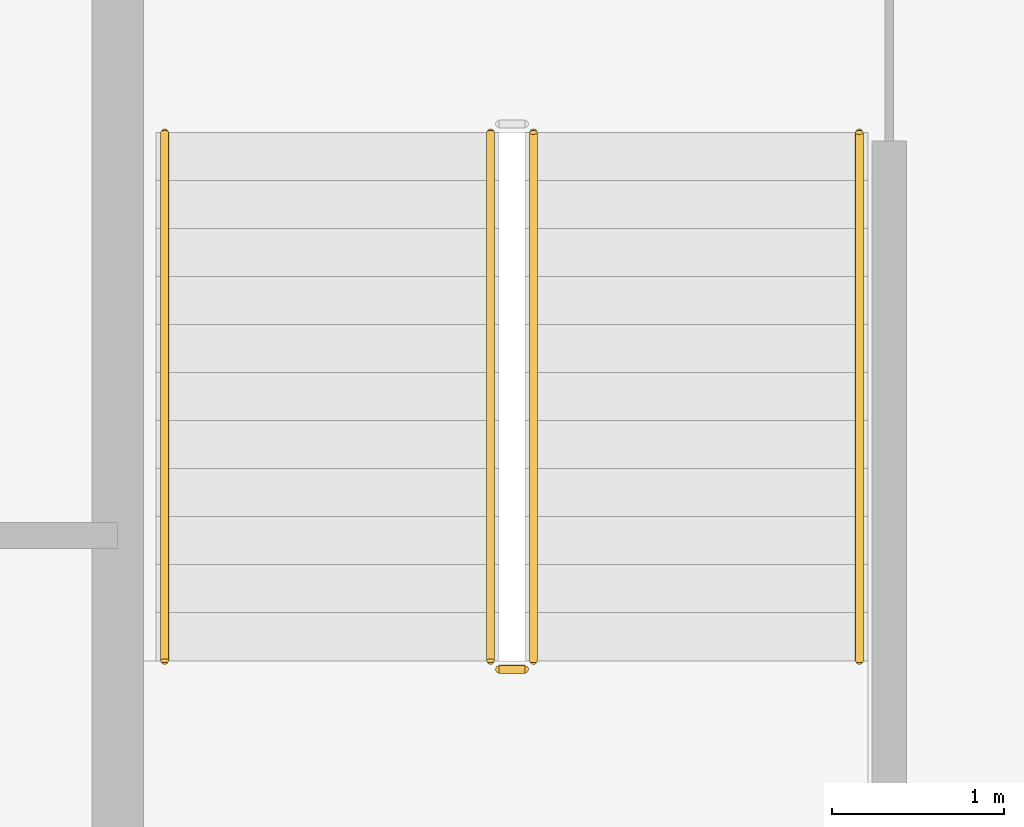
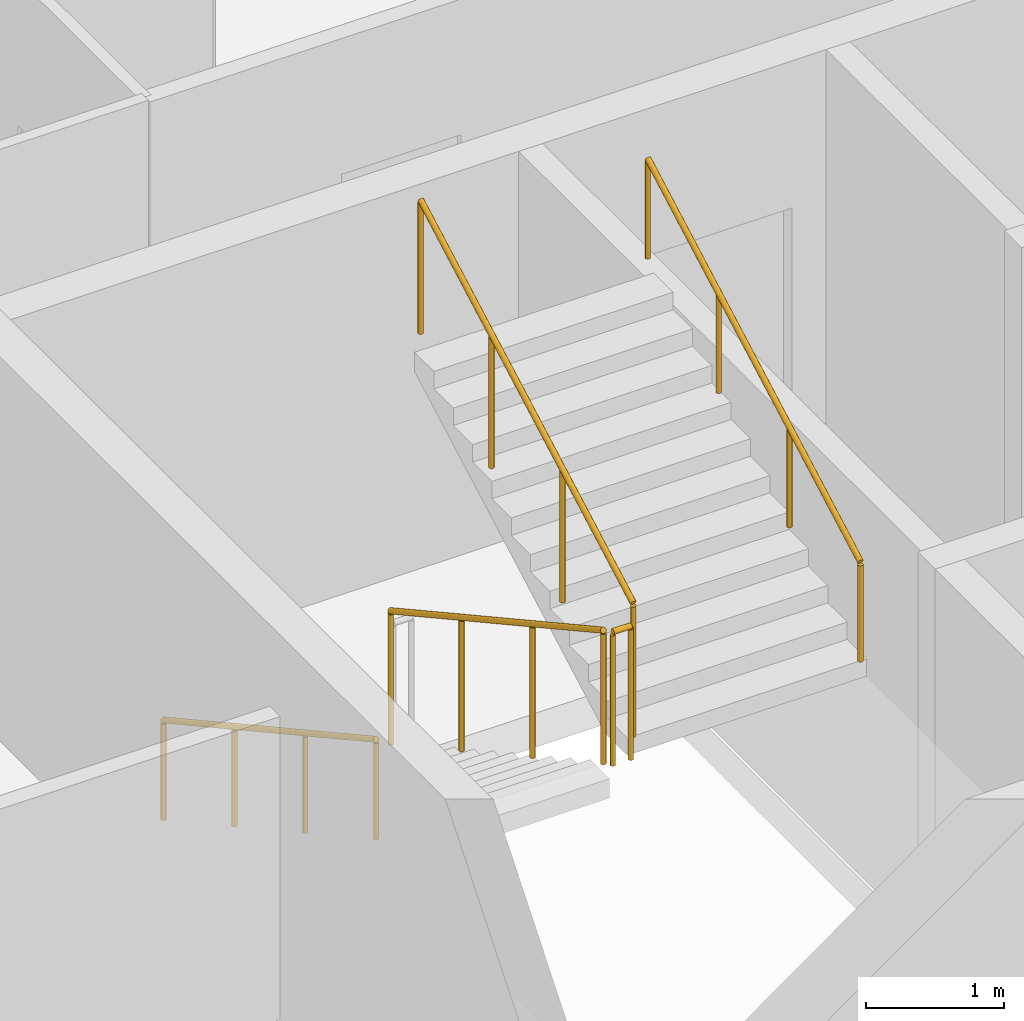
# One storey, part 9 of 11: 5 railings.
"""IFC4 building model written with IfcOpenShell, lengths in metres."""

from ifc_helpers import new_model, si_unit, direction, frame, origin, origin_2d, place, context, subcontext, project, spatial, circle, extrude, material, type_object, element, save


model = new_model("IFC4")

# Units and contexts
model_context = context("Model", 3, precision=1e-05, world=origin(), true_north=direction((0.0, 1.0)))
body_context = subcontext(model_context, "Body", "Model", "MODEL_VIEW")
ifc_project = project(units=[si_unit("LENGTHUNIT", "METRE"), si_unit("AREAUNIT", "SQUARE_METRE"), si_unit("VOLUMEUNIT", "CUBIC_METRE"), si_unit("PLANEANGLEUNIT", "RADIAN"), si_unit("MASSUNIT", "GRAM", prefix="KILO")], contexts=[model_context])

# Site, building, storey
site_placement = place(None, origin())
site = spatial("IfcSite", under=ifc_project, at=site_placement, CompositionType="ELEMENT")
building_placement = place(site_placement, origin())
building = spatial("IfcBuilding", under=site, at=building_placement, Name="Caravel Reach Hotel and Residences", CompositionType="ELEMENT")
storey_placement = place(building_placement, frame((0.0, 0.0, 249.0)))
storey = spatial("IfcBuildingStorey", under=building, at=storey_placement, Name="L63", CompositionType="ELEMENT", Elevation=249.0)

# Railings
ifc_material_1 = material(Name="Steel balustrade with glass infill", Category="steel")
railing_type_1 = type_object("IfcRailingType", Name="Guard 1200", PredefinedType="GUARDRAIL", material=ifc_material_1)
railing_1_placement = place(storey_placement, frame((20.175048828125, 29.35009765625, 0.154052734375)))
element("IfcRailing", 1, at=railing_1_placement, inside=storey, type_object=railing_type_1, Name="L63 ST-A stair guard 1", PredefinedType="GUARDRAIL", context=body_context, shape_type="SweptSolid", body=[
    extrude(circle(Radius=0.02392578125, at=origin_2d()), frame((0.0, 0.0, 1.17578125), z_axis=(0.0, -0.875975380505, 0.482355815502), x_axis=(1.0, 0.0, 0.0)), (0.0, 0.0, 1.0), 3.51611328125),
    extrude(circle(Radius=0.02099609375, at=origin_2d()), origin(), (0.0, 0.0, 1.0), 1.15185546875),
    extrude(circle(Radius=0.02099609375, at=origin_2d()), frame((0.0, -1.026611328125, 0.5654296875)), (0.0, 0.0, 1.0), 1.15185546875),
    extrude(circle(Radius=0.02099609375, at=origin_2d()), frame((0.0, -2.053466796875, 1.130615234375)), (0.0, 0.0, 1.0), 1.15185546875),
    extrude(circle(Radius=0.02099609375, at=origin_2d()), frame((0.0, -3.080078125, 1.696044921875)), (0.0, 0.0, 1.0), 1.15185546875),
])
railing_2_placement = place(storey_placement, frame((20.22509765625, 26.219970703125, 1.85009765625)))
element("IfcRailing", 2, at=railing_2_placement, inside=storey, type_object=railing_type_1, Name="L63 ST-A stair guard 2", PredefinedType="GUARDRAIL", context=body_context, shape_type="SweptSolid", body=[
    extrude(circle(Radius=0.02392578125, at=origin_2d()), frame((0.0, 0.0, 1.17578125), z_axis=(1.0, 0.0, 0.0), x_axis=(0.0, 1.0, 0.0)), (0.0, 0.0, 1.0), 0.14990234375),
    extrude(circle(Radius=0.02099609375, at=origin_2d()), origin(), (0.0, 0.0, 1.0), 1.15185546875),
    extrude(circle(Radius=0.02099609375, at=origin_2d()), frame((0.14990234375, 0.0, 0.0)), (0.0, 0.0, 1.0), 1.15185546875),
])
railing_3_placement = place(storey_placement, frame((20.425048828125, 26.27001953125, 2.004150390625)))
element("IfcRailing", 3, at=railing_3_placement, inside=storey, type_object=railing_type_1, Name="L63 ST-A stair guard 3", PredefinedType="GUARDRAIL", context=body_context, shape_type="SweptSolid", body=[
    extrude(circle(Radius=0.02392578125, at=origin_2d()), frame((0.0, 0.0, 1.17578125), z_axis=(0.0, 0.876004717809, 0.482302534076), x_axis=(-1.0, 0.0, 0.0)), (0.0, 0.0, 1.0), 3.51611328125),
    extrude(circle(Radius=0.02099609375, at=origin_2d()), origin(), (0.0, 0.0, 1.0), 1.15185546875),
    extrude(circle(Radius=0.02099609375, at=origin_2d()), frame((0.0, 1.026611328125, 0.565185546875)), (0.0, 0.0, 1.0), 1.15185546875),
    extrude(circle(Radius=0.02099609375, at=origin_2d()), frame((0.0, 2.053466796875, 1.130615234375)), (0.0, 0.0, 1.0), 1.15185546875),
    extrude(circle(Radius=0.02099609375, at=origin_2d()), frame((0.0, 3.080078125, 1.69580078125)), (0.0, 0.0, 1.0), 1.15185546875),
])
ifc_material_2 = material(Name="Stainless steel handrail", Category="steel")
railing_type_2 = type_object("IfcRailingType", Name="Handrail 900", PredefinedType="HANDRAIL", material=ifc_material_2)
railing_4_placement = place(storey_placement, frame((18.27490234375, 29.35009765625, 0.154052734375)))
element("IfcRailing", 4, at=railing_4_placement, inside=storey, type_object=railing_type_2, Name="L63 ST-A stair handrail 1", PredefinedType="HANDRAIL", context=body_context, shape_type="SweptSolid", body=[
    extrude(circle(Radius=0.02392578125, at=origin_2d()), frame((0.0, 0.0, 0.8759765625), z_axis=(0.0, -0.875975380505, 0.482355815502), x_axis=(1.0, 0.0, 0.0)), (0.0, 0.0, 1.0), 3.51611328125),
    extrude(circle(Radius=0.02099609375, at=origin_2d()), origin(), (0.0, 0.0, 1.0), 0.851806640625),
    extrude(circle(Radius=0.02099609375, at=origin_2d()), frame((0.0, -1.026611328125, 0.5654296875)), (0.0, 0.0, 1.0), 0.851806640625),
    extrude(circle(Radius=0.02099609375, at=origin_2d()), frame((0.0, -2.053466796875, 1.130615234375)), (0.0, 0.0, 1.0), 0.851806640625),
    extrude(circle(Radius=0.02099609375, at=origin_2d()), frame((0.0, -3.080078125, 1.696044921875)), (0.0, 0.0, 1.0), 0.851806640625),
])
railing_5_placement = place(storey_placement, frame((22.324951171875, 26.27001953125, 2.004150390625)))
element("IfcRailing", 5, at=railing_5_placement, inside=storey, type_object=railing_type_2, Name="L63 ST-A stair handrail 2", PredefinedType="HANDRAIL", context=body_context, shape_type="SweptSolid", body=[
    extrude(circle(Radius=0.02392578125, at=origin_2d()), frame((0.0, 0.0, 0.8759765625), z_axis=(0.0, 0.876004717809, 0.482302534076), x_axis=(-1.0, 0.0, 0.0)), (0.0, 0.0, 1.0), 3.51611328125),
    extrude(circle(Radius=0.02099609375, at=origin_2d()), origin(), (0.0, 0.0, 1.0), 0.851806640625),
    extrude(circle(Radius=0.02099609375, at=origin_2d()), frame((0.0, 1.026611328125, 0.565185546875)), (0.0, 0.0, 1.0), 0.851806640625),
    extrude(circle(Radius=0.02099609375, at=origin_2d()), frame((0.0, 2.053466796875, 1.130615234375)), (0.0, 0.0, 1.0), 0.851806640625),
    extrude(circle(Radius=0.02099609375, at=origin_2d()), frame((0.0, 3.080078125, 1.69580078125)), (0.0, 0.0, 1.0), 0.851806640625),
])

save(model, "model.ifc")
